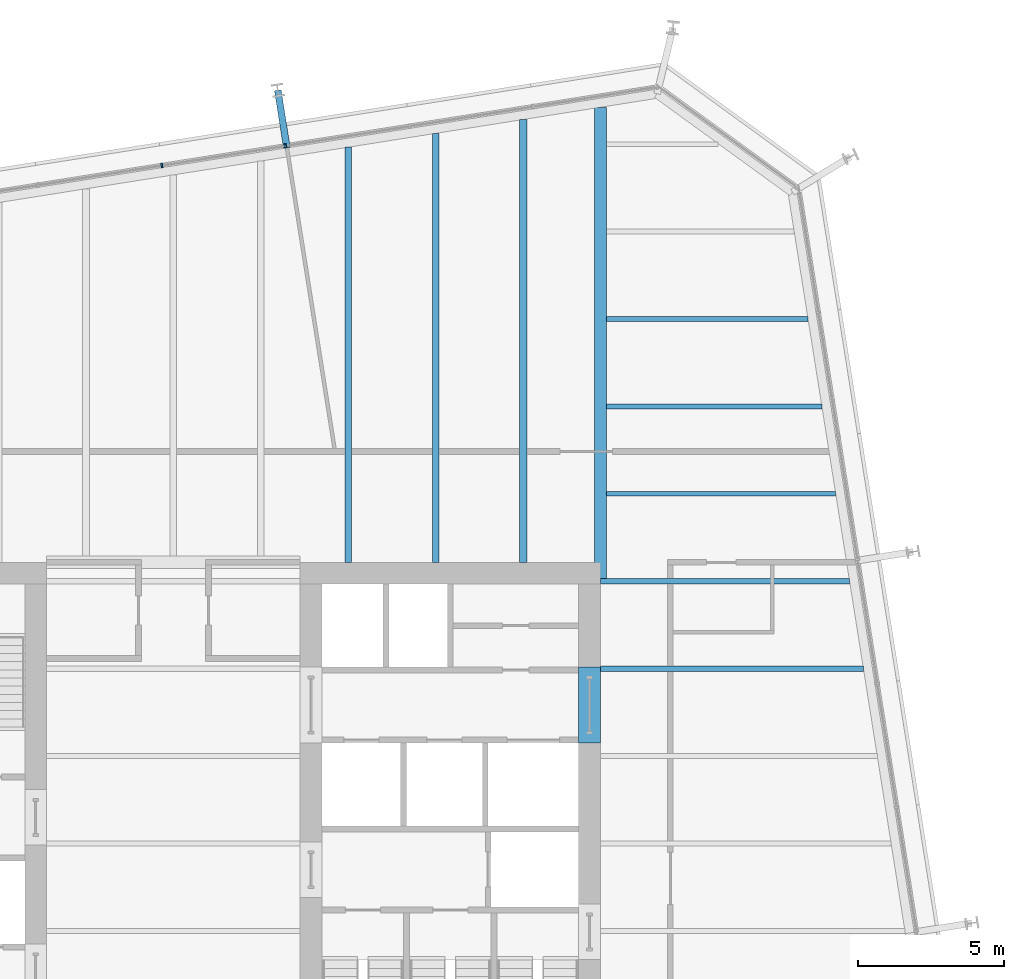
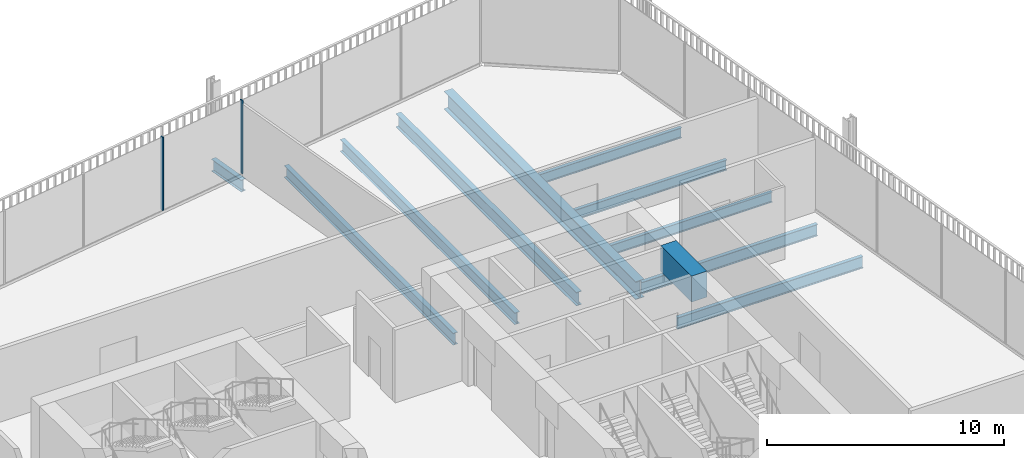
# One storey, part 13 of 21: 11 beams, 2 members, 1 element without a shape of its own.
"""IFC4 building model written with IfcOpenShell, lengths in metres."""

from ifc_helpers import new_model, si_unit, direction, frame, origin, origin_2d, place, context, subcontext, project, spatial, rectangle, i_section, extrude, material, layer, layer_set, material_profile, profile_set, type_object, element, aggregate, save


model = new_model("IFC4")

# Units and contexts
model_context = context("Model", 3, precision=1e-05, world=origin(), true_north=direction((0.0, 1.0)))
body_context = subcontext(model_context, "Body", "Model", "MODEL_VIEW")
ifc_project = project(units=[si_unit("LENGTHUNIT", "METRE"), si_unit("AREAUNIT", "SQUARE_METRE"), si_unit("VOLUMEUNIT", "CUBIC_METRE"), si_unit("PLANEANGLEUNIT", "RADIAN"), si_unit("MASSUNIT", "GRAM", prefix="KILO")], contexts=[model_context])

# Site, building, storey
site_placement = place(None, origin())
site = spatial("IfcSite", under=ifc_project, at=site_placement, CompositionType="ELEMENT")
building_placement = place(site_placement, origin())
building = spatial("IfcBuilding", under=site, at=building_placement, Name="Millrace Tower", CompositionType="ELEMENT")
storey_placement = place(building_placement, frame((0.0, 0.0, 149.0)))
storey = spatial("IfcBuildingStorey", under=building, at=storey_placement, Name="L33", CompositionType="ELEMENT", Elevation=149.0)

# Curtain wall, members
ifc_material_1 = material(Name="Aluminium and glass", Category="aluminium")
ifc_layer = layer(ifc_material_1, 0.14990234375)
ifc_layer_set = layer_set([ifc_layer], Name="Aluminium and glass")
curtain_wall_type = type_object("IfcCurtainWallType", Name="CW-1 office vision curtain wall", PredefinedType="NOTDEFINED", material=ifc_layer_set)
curtain_wall_placement = place(storey_placement, origin())
curtain_wall = element("IfcCurtainWall", 1, at=curtain_wall_placement, inside=storey, type_object=curtain_wall_type, Name="Curtain wall C-F06 L33", PredefinedType="NOTDEFINED")
ifc_material_2 = material(Name="Aluminium", Category="aluminium")
ifc_material_profile_1 = material_profile(ifc_material_2, rectangle(XDim=0.06494140625, YDim=0.14990234375, at=origin_2d()))
ifc_profile_set_1 = profile_set([ifc_material_profile_1], Name="Aluminium")
member_type = type_object("IfcMemberType", Name="CW-1 office vision curtain wall mullion", PredefinedType="MULLION", material=ifc_profile_set_1)
member_1_placement = place(storey_placement, frame((3.8505859375, 23.938720703125, 0.139892578125), z_axis=(0.0, 0.0, 1.0), x_axis=(-0.98768833929, -0.15643447328, 0.0)))
member_1 = element("IfcMember", 2, at=member_1_placement, type_object=member_type, Name="CW1 mullion C-F06.4", PredefinedType="MULLION", context=body_context, shape_type="SweptSolid", body=[
    extrude(rectangle(XDim=0.06494140625, YDim=0.14990234375, at=origin_2d()), origin(), (0.0, 0.0, 1.0), 3.760009765625),
])
member_2_placement = place(storey_placement, frame((-0.396484375, 23.26611328125, 0.139892578125), z_axis=(0.0, 0.0, 1.0), x_axis=(-0.98768833929, -0.15643447328, 0.0)))
member_2 = element("IfcMember", 3, at=member_2_placement, type_object=member_type, Name="CW1 mullion C-F06.5", PredefinedType="MULLION", context=body_context, shape_type="SweptSolid", body=[
    extrude(rectangle(XDim=0.06494140625, YDim=0.14990234375, at=origin_2d()), origin(), (0.0, 0.0, 1.0), 3.760009765625),
])
aggregate(curtain_wall, [member_1, member_2])

# Beams
ifc_material_3 = material(Name="Concrete C70", Category="concrete")
ifc_material_profile_2 = material_profile(ifc_material_3, rectangle(XDim=0.75, YDim=1.340087890625, at=origin_2d()))
ifc_profile_set_2 = profile_set([ifc_material_profile_2], Name="Concrete C70")
beam_type_1 = type_object("IfcBeamType", Name="Coupling beam 750 x 1340 Concrete C70, 2000 opening", PredefinedType="BEAM", material=ifc_profile_set_2)
beam_1_placement = place(storey_placement, frame((14.27490234375, 6.050048828125, 3.070068359375), z_axis=(0.0, -1.0, 0.0), x_axis=(1.0, 0.0, 0.0)))
element("IfcBeam", 4, at=beam_1_placement, inside=storey, type_object=beam_type_1, Name="Coupling beam E L33", PredefinedType="BEAM", context=body_context, shape_type="SweptSolid", body=[
    extrude(rectangle(XDim=0.75, YDim=1.340087890625, at=origin_2d()), origin(), (0.0, 0.0, 1.0), 2.60009765625),
])
ifc_material_4 = material(Name="Steel ASTM A992 Grade 50", Category="steel")
ifc_material_profile_3 = material_profile(ifc_material_4, i_section(OverallWidth=0.1650390625, OverallDepth=0.52587890625, WebThickness=0.0087890625, FlangeThickness=0.011474609375, FilletRadius=0.0126953125, at=origin_2d()))
ifc_profile_set_3 = profile_set([ifc_material_profile_3], Name="Steel ASTM A992 Grade 50")
beam_type_2 = type_object("IfcBeamType", Name="Floor beam W21x44", PredefinedType="JOIST", material=ifc_profile_set_3)
beam_2_placement = place(storey_placement, frame((14.859619140625, 12.0, -0.4228515625), z_axis=(1.0, 0.0, 0.0), x_axis=(0.0, 1.0, 0.0)))
element("IfcBeam", 5, at=beam_2_placement, inside=storey, type_object=beam_type_2, Name="BM-C-L33-S1-S032", PredefinedType="JOIST", context=body_context, shape_type="SweptSolid", body=[
    extrude(i_section(OverallWidth=0.1650390625, OverallDepth=0.52587890625, WebThickness=0.0087890625, FlangeThickness=0.011474609375, FilletRadius=0.0126953125, at=origin_2d()), origin(), (0.0, 0.0, 1.0), 7.8662109375),
])
beam_3_placement = place(storey_placement, frame((14.859619140625, 15.0, -0.4228515625), z_axis=(1.0, 0.0, 0.0), x_axis=(0.0, 1.0, 0.0)))
element("IfcBeam", 6, at=beam_3_placement, inside=storey, type_object=beam_type_2, Name="BM-C-L33-S1-S034", PredefinedType="JOIST", context=body_context, shape_type="SweptSolid", body=[
    extrude(i_section(OverallWidth=0.1650390625, OverallDepth=0.52587890625, WebThickness=0.0087890625, FlangeThickness=0.011474609375, FilletRadius=0.0126953125, at=origin_2d()), origin(), (0.0, 0.0, 1.0), 7.390869140625),
])
beam_4_placement = place(storey_placement, frame((14.859619140625, 18.0, -0.4228515625), z_axis=(1.0, 0.0, 0.0), x_axis=(0.0, 1.0, 0.0)))
element("IfcBeam", 7, at=beam_4_placement, inside=storey, type_object=beam_type_2, Name="BM-C-L33-S1-S036", PredefinedType="JOIST", context=body_context, shape_type="SweptSolid", body=[
    extrude(i_section(OverallWidth=0.1650390625, OverallDepth=0.52587890625, WebThickness=0.0087890625, FlangeThickness=0.011474609375, FilletRadius=0.0126953125, at=origin_2d()), origin(), (0.0, 0.0, 1.0), 6.915771484375),
])
ifc_material_5 = material(Name="Steel ASTM A992 Grade 50", Category="steel")
ifc_material_profile_4 = material_profile(ifc_material_5, i_section(OverallWidth=0.177978515625, OverallDepth=0.599365234375, WebThickness=0.010009765625, FlangeThickness=0.012939453125, FilletRadius=0.012939453125, at=origin_2d()))
ifc_profile_set_4 = profile_set([ifc_material_profile_4], Name="Steel ASTM A992 Grade 50")
beam_type_3 = type_object("IfcBeamType", Name="Floor beam W24x55", PredefinedType="JOIST", material=ifc_profile_set_4)
beam_5_placement = place(storey_placement, frame((14.64990234375, 6.0, -0.459716796875), z_axis=(1.0, 0.0, 0.0), x_axis=(0.0, 1.0, 0.0)))
element("IfcBeam", 8, at=beam_5_placement, inside=storey, type_object=beam_type_3, Name="BM-C-L33-S1-S027", PredefinedType="JOIST", context=body_context, shape_type="SweptSolid", body=[
    extrude(i_section(OverallWidth=0.177978515625, OverallDepth=0.599365234375, WebThickness=0.010009765625, FlangeThickness=0.012939453125, FilletRadius=0.012939453125, at=origin_2d()), origin(), (0.0, 0.0, 1.0), 9.026123046875),
])
beam_6_placement = place(storey_placement, frame((14.64990234375, 9.0, -0.459716796875), z_axis=(1.0, 0.0, 0.0), x_axis=(0.0, 1.0, 0.0)))
element("IfcBeam", 9, at=beam_6_placement, inside=storey, type_object=beam_type_3, Name="BM-C-L33-S1-S030", PredefinedType="JOIST", context=body_context, shape_type="SweptSolid", body=[
    extrude(i_section(OverallWidth=0.177978515625, OverallDepth=0.599365234375, WebThickness=0.010009765625, FlangeThickness=0.012939453125, FilletRadius=0.012939453125, at=origin_2d()), origin(), (0.0, 0.0, 1.0), 8.551025390625),
])
ifc_material_6 = material(Name="Steel ASTM A992 Grade 50", Category="steel")
ifc_material_profile_5 = material_profile(ifc_material_6, i_section(OverallWidth=0.228271484375, OverallDepth=0.607177734375, WebThickness=0.01123046875, FlangeThickness=0.017333984375, FilletRadius=0.0126953125, at=origin_2d()))
ifc_profile_set_5 = profile_set([ifc_material_profile_5], Name="Steel ASTM A992 Grade 50")
beam_type_4 = type_object("IfcBeamType", Name="Floor beam W24x76", PredefinedType="JOIST", material=ifc_profile_set_5)
beam_7_placement = place(storey_placement, frame((6.0, 9.64990234375, -0.463623046875), z_axis=(0.0, 1.0, 0.0), x_axis=(-1.0, 0.0, 0.0)))
element("IfcBeam", 10, at=beam_7_placement, inside=storey, type_object=beam_type_4, Name="BM-C-L33-S1-S051", PredefinedType="JOIST", context=body_context, shape_type="SweptSolid", body=[
    extrude(i_section(OverallWidth=0.228271484375, OverallDepth=0.607177734375, WebThickness=0.01123046875, FlangeThickness=0.017333984375, FilletRadius=0.0126953125, at=origin_2d()), origin(), (0.0, 0.0, 1.0), 14.2421875),
])
beam_8_placement = place(storey_placement, frame((9.0, 9.64990234375, -0.463623046875), z_axis=(0.0, 1.0, 0.0), x_axis=(-1.0, 0.0, 0.0)))
element("IfcBeam", 11, at=beam_8_placement, inside=storey, type_object=beam_type_4, Name="BM-C-L33-S1-S053", PredefinedType="JOIST", context=body_context, shape_type="SweptSolid", body=[
    extrude(i_section(OverallWidth=0.228271484375, OverallDepth=0.607177734375, WebThickness=0.01123046875, FlangeThickness=0.017333984375, FilletRadius=0.0126953125, at=origin_2d()), origin(), (0.0, 0.0, 1.0), 14.71728515625),
])
ifc_material_7 = material(Name="Steel ASTM A992 Grade 50", Category="steel")
ifc_material_profile_6 = material_profile(ifc_material_7, i_section(OverallWidth=0.256591796875, OverallDepth=0.693359375, WebThickness=0.014404296875, FlangeThickness=0.023681640625, FilletRadius=0.01513671875, at=origin_2d()))
ifc_profile_set_6 = profile_set([ifc_material_profile_6], Name="Steel ASTM A992 Grade 50")
beam_type_5 = type_object("IfcBeamType", Name="Floor beam W27x114", PredefinedType="JOIST", material=ifc_profile_set_6)
beam_9_placement = place(storey_placement, frame((12.0, 9.64990234375, -0.506591796875), z_axis=(0.0, 1.0, 0.0), x_axis=(-1.0, 0.0, 0.0)))
element("IfcBeam", 12, at=beam_9_placement, inside=storey, type_object=beam_type_5, Name="BM-C-L33-S1-S055", PredefinedType="JOIST", context=body_context, shape_type="SweptSolid", body=[
    extrude(i_section(OverallWidth=0.256591796875, OverallDepth=0.693359375, WebThickness=0.014404296875, FlangeThickness=0.023681640625, FilletRadius=0.01513671875, at=origin_2d()), origin(), (0.0, 0.0, 1.0), 15.1923828125),
])
ifc_material_8 = material(Name="Steel ASTM A992 Grade 50", Category="steel")
ifc_material_profile_7 = material_profile(ifc_material_8, i_section(OverallWidth=0.419189453125, OverallDepth=0.927001953125, WebThickness=0.019287109375, FlangeThickness=0.031982421875, FilletRadius=0.024169921875, at=origin_2d()))
ifc_profile_set_7 = profile_set([ifc_material_profile_7], Name="Steel ASTM A992 Grade 50")
beam_type_6 = type_object("IfcBeamType", Name="Girder medium span W36x231", PredefinedType="BEAM", material=ifc_profile_set_7)
beam_10_placement = place(storey_placement, frame((14.64990234375, 9.090087890625, -0.62353515625), z_axis=(0.0, 1.0, 0.0), x_axis=(-1.0, 0.0, 0.0)))
element("IfcBeam", 13, at=beam_10_placement, inside=storey, type_object=beam_type_6, Name="BM-C-L33-S1-G059", PredefinedType="BEAM", context=body_context, shape_type="SweptSolid", body=[
    extrude(i_section(OverallWidth=0.419189453125, OverallDepth=0.927001953125, WebThickness=0.019287109375, FlangeThickness=0.031982421875, FilletRadius=0.024169921875, at=origin_2d()), origin(), (0.0, 0.0, 1.0), 16.1640625),
])
ifc_material_9 = material(Name="Steel ASTM A992 Grade 50", Category="steel")
ifc_material_profile_8 = material_profile(ifc_material_9, i_section(OverallWidth=0.23046875, OverallDepth=0.6171875, WebThickness=0.01318359375, FlangeThickness=0.022216796875, FilletRadius=0.012939453125, at=origin_2d()))
ifc_profile_set_8 = profile_set([ifc_material_profile_8], Name="Steel ASTM A992 Grade 50")
beam_type_7 = type_object("IfcBeamType", Name="Link beam W24x94", PredefinedType="BEAM", material=ifc_profile_set_8)
beam_11_placement = place(storey_placement, frame((3.894287109375, 23.86962890625, -0.468505859375), z_axis=(-0.15637629034, 0.987697552806, 0.0), x_axis=(-0.987697552806, -0.15637629034, 0.0)))
element("IfcBeam", 14, at=beam_11_placement, inside=storey, type_object=beam_type_7, Name="LNK-C-L33-S1-07", PredefinedType="BEAM", context=body_context, shape_type="SweptSolid", body=[
    extrude(i_section(OverallWidth=0.23046875, OverallDepth=0.6171875, WebThickness=0.01318359375, FlangeThickness=0.022216796875, FilletRadius=0.012939453125, at=origin_2d()), origin(), (0.0, 0.0, 1.0), 2.0),
])

save(model, "model.ifc")
